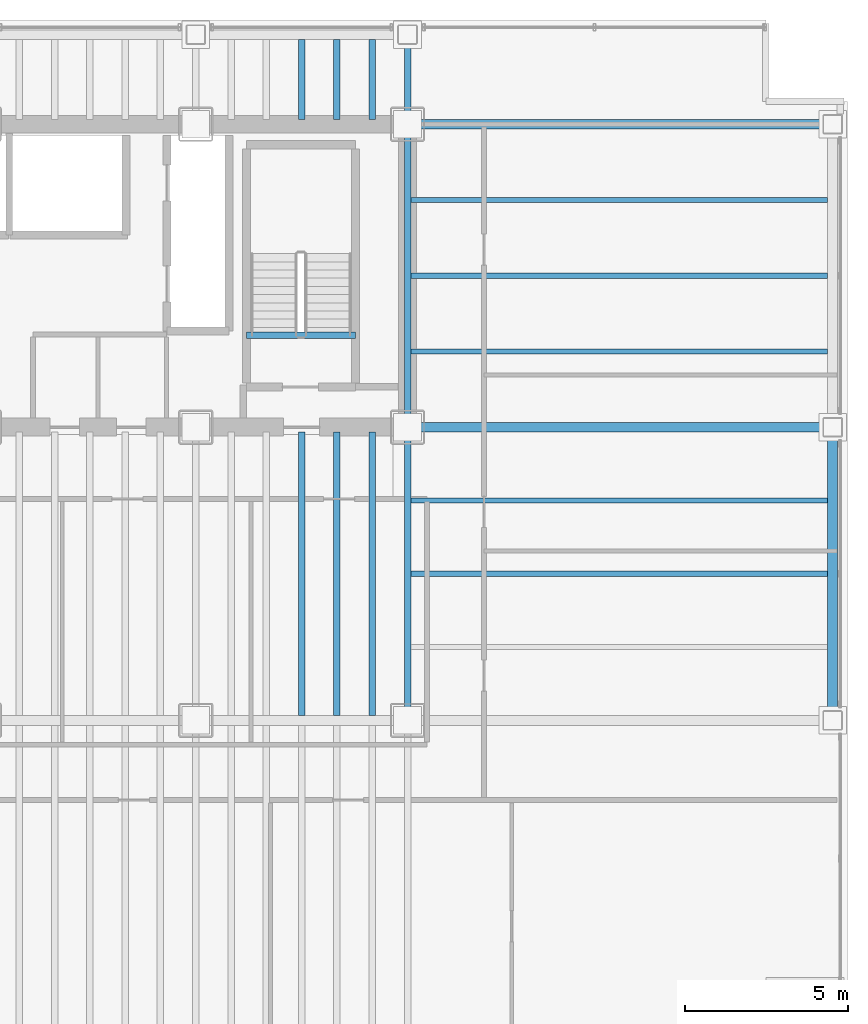
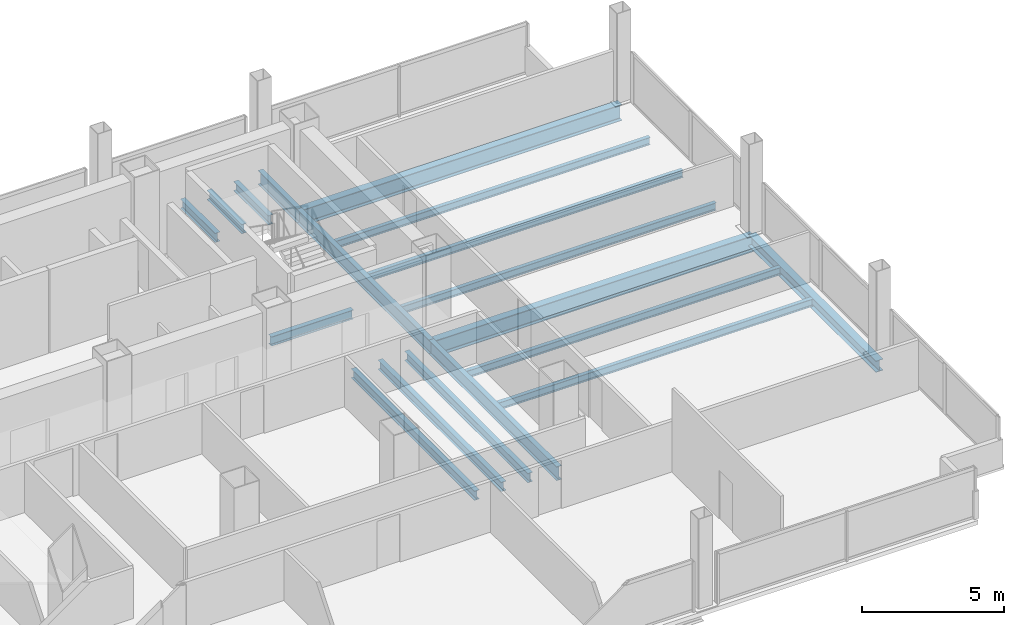
# One storey, part 12 of 21: 18 beams.
"""IFC4 building model written with IfcOpenShell, lengths in metres."""

from ifc_helpers import new_model, si_unit, direction, frame, origin, origin_2d, place, context, subcontext, project, spatial, i_section, extrude, material, material_profile, profile_set, type_object, element, save


model = new_model("IFC4")

# Units and contexts
model_context = context("Model", 3, precision=1e-05, world=origin(), true_north=direction((0.0, 1.0)))
body_context = subcontext(model_context, "Body", "Model", "MODEL_VIEW")
ifc_project = project(units=[si_unit("LENGTHUNIT", "METRE"), si_unit("AREAUNIT", "SQUARE_METRE"), si_unit("VOLUMEUNIT", "CUBIC_METRE"), si_unit("PLANEANGLEUNIT", "RADIAN"), si_unit("MASSUNIT", "GRAM", prefix="KILO")], contexts=[model_context])

# Site, building, storey
site_placement = place(None, origin())
site = spatial("IfcSite", under=ifc_project, at=site_placement, CompositionType="ELEMENT")
building_placement = place(site_placement, origin())
building = spatial("IfcBuilding", under=site, at=building_placement, Name="Noeulbin Bourse Tower", CompositionType="ELEMENT")
storey_placement = place(building_placement, frame((0.0, 0.0, 96.699951171875)))
storey = spatial("IfcBuildingStorey", under=building, at=storey_placement, Name="L24", CompositionType="ELEMENT", Elevation=96.699951171875)

# Beams
ifc_material = material(Name="Steel S355", Category="steel")
ifc_material_profile_1 = material_profile(ifc_material, i_section(OverallWidth=0.199951171875, OverallDepth=0.60009765625, WebThickness=0.010986328125, FlangeThickness=0.01708984375, FilletRadius=0.02197265625, at=origin_2d()), Name="H-600x200x11x17", Category="LoadBearing")
ifc_profile_set_1 = profile_set([ifc_material_profile_1], Name="Steel S355")
beam_type_1 = type_object("IfcBeamType", Name="BM-GRD-600", PredefinedType="USERDEFINED", material=ifc_profile_set_1)
beam_1_placement = place(storey_placement, frame((44.0, 20.0, -0.47998046875), z_axis=(0.0, 1.0, 0.0), x_axis=(-1.0, 0.0, 0.0)))
element("IfcBeam", 1, at=beam_1_placement, inside=storey, type_object=beam_type_1, Name="Tower Primary Girder NS L24-5.2", ObjectType="GIRDER", PredefinedType="USERDEFINED", context=body_context, shape_type="SweptSolid", body=[
    extrude(i_section(OverallWidth=0.199951171875, OverallDepth=0.60009765625, WebThickness=0.010986328125, FlangeThickness=0.01708984375, FilletRadius=0.02197265625, at=origin_2d()), origin(), (0.0, 0.0, 1.0), 9.0),
])
beam_2_placement = place(storey_placement, frame((44.0, 29.0, -0.47998046875), z_axis=(0.0, 1.0, 0.0), x_axis=(-1.0, 0.0, 0.0)))
element("IfcBeam", 2, at=beam_2_placement, inside=storey, type_object=beam_type_1, Name="Tower Primary Girder NS L24-5.3", ObjectType="GIRDER", PredefinedType="USERDEFINED", context=body_context, shape_type="SweptSolid", body=[
    extrude(i_section(OverallWidth=0.199951171875, OverallDepth=0.60009765625, WebThickness=0.010986328125, FlangeThickness=0.01708984375, FilletRadius=0.02197265625, at=origin_2d()), origin(), (0.0, 0.0, 1.0), 9.300048828125),
])
beam_3_placement = place(storey_placement, frame((44.0, 38.300048828125, -0.47998046875), z_axis=(0.0, 1.0, 0.0), x_axis=(-1.0, 0.0, 0.0)))
element("IfcBeam", 3, at=beam_3_placement, inside=storey, type_object=beam_type_1, Name="Tower Primary Girder NS L24-5.4", ObjectType="GIRDER", PredefinedType="USERDEFINED", context=body_context, shape_type="SweptSolid", body=[
    extrude(i_section(OverallWidth=0.199951171875, OverallDepth=0.60009765625, WebThickness=0.010986328125, FlangeThickness=0.01708984375, FilletRadius=0.02197265625, at=origin_2d()), origin(), (0.0, 0.0, 1.0), 2.75),
])
ifc_material_profile_2 = material_profile(ifc_material, i_section(OverallWidth=0.300048828125, OverallDepth=0.699951171875, WebThickness=0.012939453125, FlangeThickness=0.02392578125, FilletRadius=0.02392578125, at=origin_2d()), Name="H-700x300x13x24", Category="LoadBearing")
ifc_profile_set_2 = profile_set([ifc_material_profile_2], Name="Steel S355")
beam_type_2 = type_object("IfcBeamType", Name="BM-GRD-700", PredefinedType="USERDEFINED", material=ifc_profile_set_2)
for number, where, z_axis, x_axis, name in (
    (4, (44.0, 29.0, -0.530029296875), (1.0, 0.0, 0.0), (0.0, 1.0, 0.0), "Tower Primary Girder EW L24-2.6"),
    (5, (44.0, 38.300048828125, -0.530029296875), (1.0, 0.0, 0.0), (0.0, 1.0, 0.0), "Tower Primary Girder EW L24-3.6"),
):
    element("IfcBeam", number, at=place(storey_placement, frame(where, z_axis=z_axis, x_axis=x_axis)), inside=storey, type_object=beam_type_2, Name=name, ObjectType="GIRDER", PredefinedType="USERDEFINED", context=body_context, shape_type="SweptSolid", body=[
        extrude(i_section(OverallWidth=0.300048828125, OverallDepth=0.699951171875, WebThickness=0.012939453125, FlangeThickness=0.02392578125, FilletRadius=0.02392578125, at=origin_2d()), origin(), (0.0, 0.0, 1.0), 13.050048828125),
    ])
ifc_material_profile_3 = material_profile(ifc_material, i_section(OverallWidth=0.159912109375, OverallDepth=0.320068359375, WebThickness=0.006591796875, FlangeThickness=0.010009765625, FilletRadius=0.012939453125, at=origin_2d()), Name="H-320x160x6.5x10", Category="LoadBearing")
ifc_profile_set_3 = profile_set([ifc_material_profile_3], Name="Steel S355")
beam_type_3 = type_object("IfcBeamType", Name="BM-JST-320", PredefinedType="JOIST", material=ifc_profile_set_3)
for number, where, z_axis, x_axis, name in (
    (6, (44.10009765625, 24.5, -0.33984375), (1.0, 0.0, 0.0), (0.0, 1.0, 0.0), "Wing Composite Joist L24-E77"),
    (7, (44.10009765625, 26.75, -0.33984375), (1.0, 0.0, 0.0), (0.0, 1.0, 0.0), "Wing Composite Joist L24-E78"),
    (8, (44.10009765625, 31.324951171875, -0.33984375), (1.0, 0.0, 0.0), (0.0, 1.0, 0.0), "Wing Composite Joist L24-E79"),
    (9, (44.10009765625, 33.64990234375, -0.33984375), (1.0, 0.0, 0.0), (0.0, 1.0, 0.0), "Wing Composite Joist L24-E80"),
    (10, (44.10009765625, 35.97509765625, -0.33984375), (1.0, 0.0, 0.0), (0.0, 1.0, 0.0), "Wing Composite Joist L24-E81"),
):
    element("IfcBeam", number, at=place(storey_placement, frame(where, z_axis=z_axis, x_axis=x_axis)), inside=storey, type_object=beam_type_3, Name=name, PredefinedType="JOIST", context=body_context, shape_type="SweptSolid", body=[
        extrude(i_section(OverallWidth=0.159912109375, OverallDepth=0.320068359375, WebThickness=0.006591796875, FlangeThickness=0.010009765625, FilletRadius=0.012939453125, at=origin_2d()), origin(), (0.0, 0.0, 1.0), 12.7998046875),
    ])
ifc_material_profile_4 = material_profile(ifc_material, i_section(OverallWidth=0.199951171875, OverallDepth=0.39990234375, WebThickness=0.008056640625, FlangeThickness=0.012939453125, FilletRadius=0.01611328125, at=origin_2d()), Name="H-400x200x8x13", Category="LoadBearing")
ifc_profile_set_4 = profile_set([ifc_material_profile_4], Name="Steel S355")
beam_type_4 = type_object("IfcBeamType", Name="BM-SEC-400", PredefinedType="BEAM", material=ifc_profile_set_4)
beam_4_placement = place(storey_placement, frame((40.75, 20.14990234375, -0.3798828125), z_axis=(0.0, 1.0, 0.0), x_axis=(-1.0, 0.0, 0.0)))
element("IfcBeam", 11, at=beam_4_placement, inside=storey, type_object=beam_type_4, Name="Tower Composite Joist L24-62", PredefinedType="BEAM", context=body_context, shape_type="SweptSolid", body=[
    extrude(i_section(OverallWidth=0.199951171875, OverallDepth=0.39990234375, WebThickness=0.008056640625, FlangeThickness=0.012939453125, FilletRadius=0.01611328125, at=origin_2d()), origin(), (0.0, 0.0, 1.0), 8.7001953125),
])
beam_5_placement = place(storey_placement, frame((40.75, 38.449951171875, -0.3798828125), z_axis=(0.0, 1.0, 0.0), x_axis=(-1.0, 0.0, 0.0)))
element("IfcBeam", 12, at=beam_5_placement, inside=storey, type_object=beam_type_4, Name="Tower Composite Joist L24-63", PredefinedType="BEAM", context=body_context, shape_type="SweptSolid", body=[
    extrude(i_section(OverallWidth=0.199951171875, OverallDepth=0.39990234375, WebThickness=0.008056640625, FlangeThickness=0.012939453125, FilletRadius=0.01611328125, at=origin_2d()), origin(), (0.0, 0.0, 1.0), 2.449951171875),
])
beam_6_placement = place(storey_placement, frame((41.833251953125, 20.14990234375, -0.3798828125), z_axis=(0.0, 1.0, 0.0), x_axis=(-1.0, 0.0, 0.0)))
element("IfcBeam", 13, at=beam_6_placement, inside=storey, type_object=beam_type_4, Name="Tower Composite Joist L24-65", PredefinedType="BEAM", context=body_context, shape_type="SweptSolid", body=[
    extrude(i_section(OverallWidth=0.199951171875, OverallDepth=0.39990234375, WebThickness=0.008056640625, FlangeThickness=0.012939453125, FilletRadius=0.01611328125, at=origin_2d()), origin(), (0.0, 0.0, 1.0), 8.7001953125),
])
beam_7_placement = place(storey_placement, frame((41.833251953125, 38.449951171875, -0.3798828125), z_axis=(0.0, 1.0, 0.0), x_axis=(-1.0, 0.0, 0.0)))
element("IfcBeam", 14, at=beam_7_placement, inside=storey, type_object=beam_type_4, Name="Tower Composite Joist L24-66", PredefinedType="BEAM", context=body_context, shape_type="SweptSolid", body=[
    extrude(i_section(OverallWidth=0.199951171875, OverallDepth=0.39990234375, WebThickness=0.008056640625, FlangeThickness=0.012939453125, FilletRadius=0.01611328125, at=origin_2d()), origin(), (0.0, 0.0, 1.0), 2.449951171875),
])
beam_8_placement = place(storey_placement, frame((42.916748046875, 20.14990234375, -0.3798828125), z_axis=(0.0, 1.0, 0.0), x_axis=(-1.0, 0.0, 0.0)))
element("IfcBeam", 15, at=beam_8_placement, inside=storey, type_object=beam_type_4, Name="Tower Composite Joist L24-68", PredefinedType="BEAM", context=body_context, shape_type="SweptSolid", body=[
    extrude(i_section(OverallWidth=0.199951171875, OverallDepth=0.39990234375, WebThickness=0.008056640625, FlangeThickness=0.012939453125, FilletRadius=0.01611328125, at=origin_2d()), origin(), (0.0, 0.0, 1.0), 8.7001953125),
])
beam_9_placement = place(storey_placement, frame((42.916748046875, 38.449951171875, -0.3798828125), z_axis=(0.0, 1.0, 0.0), x_axis=(-1.0, 0.0, 0.0)))
element("IfcBeam", 16, at=beam_9_placement, inside=storey, type_object=beam_type_4, Name="Tower Composite Joist L24-69", PredefinedType="BEAM", context=body_context, shape_type="SweptSolid", body=[
    extrude(i_section(OverallWidth=0.199951171875, OverallDepth=0.39990234375, WebThickness=0.008056640625, FlangeThickness=0.012939453125, FilletRadius=0.01611328125, at=origin_2d()), origin(), (0.0, 0.0, 1.0), 2.449951171875),
])
beam_10_placement = place(storey_placement, frame((39.06005859375, 31.820068359375, -0.199951171875), z_axis=(1.0, 0.0, 0.0), x_axis=(0.0, 1.0, 0.0)))
element("IfcBeam", 17, at=beam_10_placement, inside=storey, type_object=beam_type_4, Name="Stair Threshold Trimmer Beam ST2-L24", PredefinedType="BEAM", context=body_context, shape_type="SweptSolid", body=[
    extrude(i_section(OverallWidth=0.199951171875, OverallDepth=0.39990234375, WebThickness=0.008056640625, FlangeThickness=0.012939453125, FilletRadius=0.01611328125, at=origin_2d()), origin(), (0.0, 0.0, 1.0), 3.33984375),
])
ifc_material_profile_5 = material_profile(ifc_material, i_section(OverallWidth=0.300048828125, OverallDepth=0.488037109375, WebThickness=0.010986328125, FlangeThickness=0.01806640625, FilletRadius=0.02197265625, at=origin_2d()), Name="H-488x300x11x18", Category="LoadBearing")
ifc_profile_set_5 = profile_set([ifc_material_profile_5], Name="Steel S355")
beam_type_5 = type_object("IfcBeamType", Name="BM-SPN-488", PredefinedType="SPANDREL", material=ifc_profile_set_5)
beam_11_placement = place(storey_placement, frame((57.050048828125, 20.0, -0.424072265625), z_axis=(0.0, 1.0, 0.0), x_axis=(-1.0, 0.0, 0.0)))
element("IfcBeam", 18, at=beam_11_placement, inside=storey, type_object=beam_type_5, Name="East Spandrel L24-1", PredefinedType="SPANDREL", context=body_context, shape_type="SweptSolid", body=[
    extrude(i_section(OverallWidth=0.300048828125, OverallDepth=0.488037109375, WebThickness=0.010986328125, FlangeThickness=0.01806640625, FilletRadius=0.02197265625, at=origin_2d()), origin(), (0.0, 0.0, 1.0), 9.0),
])

save(model, "model.ifc")
